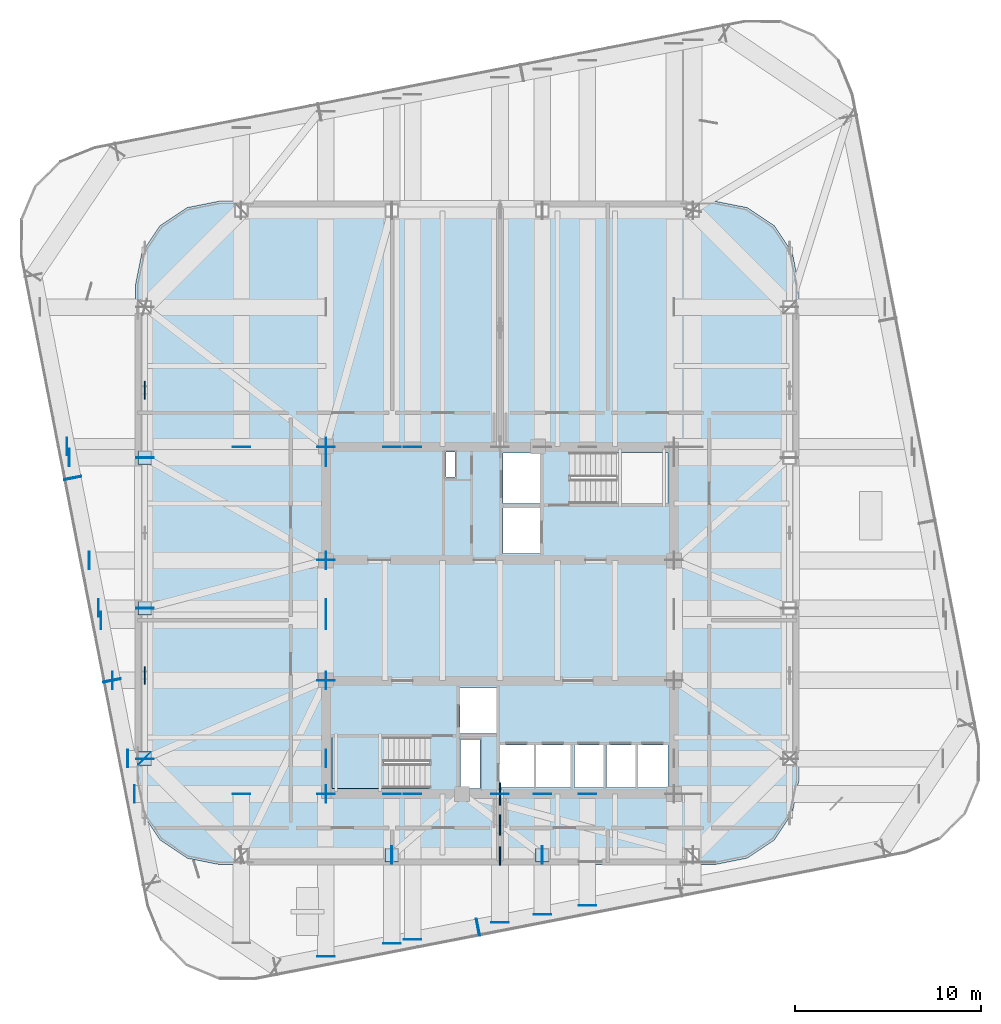
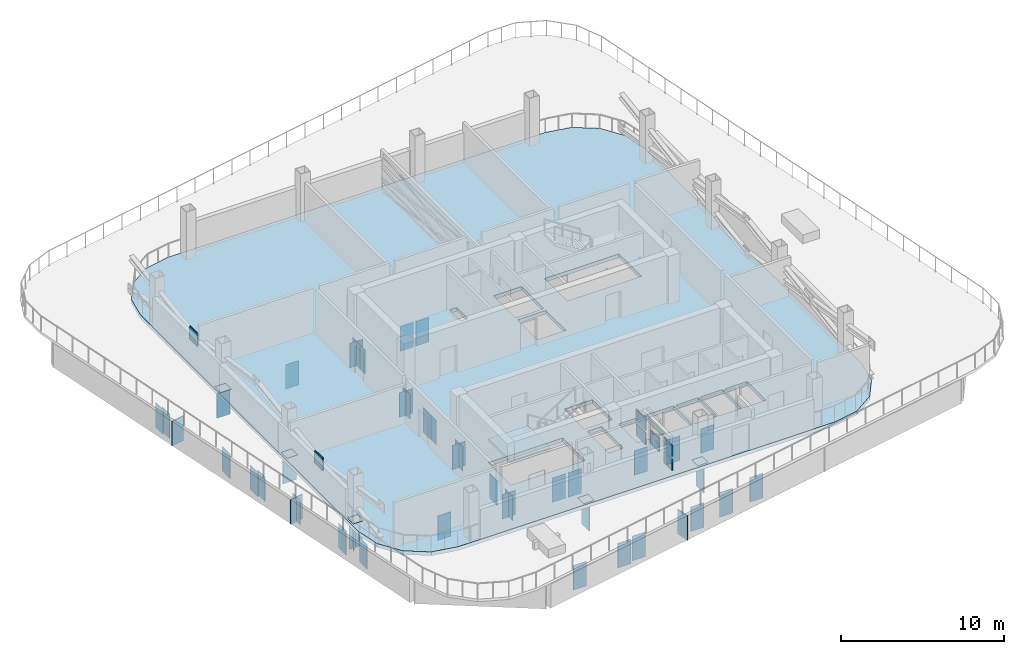
# One storey, part 4 of 14: 63 plates, 2 slabs, 1 element without a shape of its own.
"""IFC4 building model written with IfcOpenShell, lengths in metres."""

from ifc_helpers import new_model, si_unit, direction, frame, origin, origin_2d, place, context, subcontext, project, spatial, polyline, rectangle, outline, extrude, material, layer, layer_set, type_object, element, aggregate, save


model = new_model("IFC4")

# Units and contexts
model_context = context("Model", 3, precision=1e-05, world=origin(), true_north=direction((0.0, 1.0)))
body_context = subcontext(model_context, "Body", "Model", "MODEL_VIEW")
ifc_project = project(units=[si_unit("LENGTHUNIT", "METRE"), si_unit("AREAUNIT", "SQUARE_METRE"), si_unit("VOLUMEUNIT", "CUBIC_METRE"), si_unit("PLANEANGLEUNIT", "RADIAN"), si_unit("MASSUNIT", "GRAM", prefix="KILO")], contexts=[model_context])

# Site, building, storey
site_placement = place(None, origin())
site = spatial("IfcSite", under=ifc_project, at=site_placement, CompositionType="ELEMENT")
building_placement = place(site_placement, origin())
building = spatial("IfcBuilding", under=site, at=building_placement, Name="Qhalaya Broadcast Tower", CompositionType="ELEMENT")
storey_placement = place(building_placement, frame((0.0, 0.0, 144.60009765625)))
storey = spatial("IfcBuildingStorey", under=building, at=storey_placement, Name="L42", CompositionType="ELEMENT", Elevation=144.60009765625)

# Plates
ifc_material_1 = material(Name="Structural Steel ASTM A572 Grade 50", Category="steel")
ifc_layer_1 = layer(ifc_material_1, 0.4599609375, Name="Structural Steel ASTM A572 Grade 50")
ifc_layer_set_1 = layer_set([ifc_layer_1], Name="Structural Steel ASTM A572 Grade 50")
plate_type_1 = type_object("IfcPlateType", Name="Hollow Box Member End Cap Plate CP-01", PredefinedType="USERDEFINED", material=ifc_layer_set_1)
for number, where, z_axis, x_axis, name in (
    (1, (-5.803955078125, -12.0400390625, -2.10009765625), (0.0, 0.0, 1.0), (0.0, 1.0, 0.0), "L42 Hollow Girder End Cap L42-SPR-01-B"),
    (2, (-5.8359375, -12.0400390625, -2.10009765625), (0.0, 0.0, 1.0), (0.0, 1.0, 0.0), "L42 Hollow Girder End Cap L42-SPR-02-A"),
    (3, (2.2958984375, -12.0400390625, -2.10009765625), (0.0, 0.0, 1.0), (0.0, 1.0, 0.0), "L42 Hollow Girder End Cap L42-SPR-02-B"),
    (4, (2.263916015625, -12.0400390625, -2.10009765625), (0.0, 0.0, 1.0), (0.0, 1.0, 0.0), "L42 Hollow Girder End Cap L42-SPR-03-A"),
    (5, (-19.1201171875, 9.343994140625, -2.10009765625), (0.0, 0.0, 1.0), (1.0, 0.0, 0.0), "L42 Hollow Girder End Cap L42-SPR-13-B"),
    (6, (-19.1201171875, 9.3759765625, -2.10009765625), (0.0, 0.0, 1.0), (1.0, 0.0, 0.0), "L42 Hollow Girder End Cap L42-SPR-14-A"),
    (7, (-19.1201171875, 1.243896484375, -2.10009765625), (0.0, 0.0, 1.0), (1.0, 0.0, 0.0), "L42 Hollow Girder End Cap L42-SPR-14-B"),
    (8, (-19.1201171875, 1.27587890625, -2.10009765625), (0.0, 0.0, 1.0), (1.0, 0.0, 0.0), "L42 Hollow Girder End Cap L42-SPR-15-A"),
    (9, (-19.1201171875, -6.85595703125, -2.10009765625), (0.0, 0.0, 1.0), (1.0, 0.0, 0.0), "L42 Hollow Girder End Cap L42-SPR-15-B"),
    (10, (-19.13134765625, -6.82861328125, -2.10009765625), (0.0, 0.0, 1.0), (0.707106781187, 0.707106781187, 0.0), "L42 Hollow Girder End Cap L42-SPR-16-A"),
    (11, (-1.167724609375, -15.915283203125, -2.10009765625), (0.0, 0.0, 1.0), (-0.190808995377, 0.981627183448, 0.0), "L42 Hollow Girder End Cap L42-TGL-01-B"),
    (12, (-1.19921875, -15.92138671875, -2.10009765625), (0.0, 0.0, 1.0), (-0.190808995377, 0.981627183448, 0.0), "L42 Hollow Girder End Cap L42-TGL-02-A"),
    (13, (-22.995361328125, 8.247802734375, -2.10009765625), (0.0, 0.0, 1.0), (0.981627183448, 0.190808995377, 0.0), "L42 Hollow Girder End Cap L42-TGL-13-B"),
    (14, (-23.00146484375, 8.279052734375, -2.10009765625), (0.0, 0.0, 1.0), (0.981627183448, 0.190808995377, 0.0), "L42 Hollow Girder End Cap L42-TGL-14-A"),
    (15, (-20.877197265625, -2.648193359375, -2.10009765625), (0.0, 0.0, 1.0), (0.981627183448, 0.190808995377, 0.0), "L42 Hollow Girder End Cap L42-TGL-14-B"),
    (16, (-20.883544921875, -2.616943359375, -2.10009765625), (0.0, 0.0, 1.0), (0.981627183448, 0.190808995377, 0.0), "L42 Hollow Girder End Cap L42-TGL-15-A"),
    (17, (-9.375, 9.93408203125, -2.10009765625), (0.0, 0.0, 1.0), (-1.0, 0.0, 0.0), "L42 Hollow Girder End Cap L42-TGINW-1-A"),
    (18, (0.0, -15.66357421875, -2.10009765625), (0.0, 0.0, 1.0), (-1.0, 0.0, 0.0), "L42 Hollow Girder End Cap L42-TGIMS-1-A"),
    (19, (0.0, -8.73388671875, -2.10009765625), (0.0, 0.0, 1.0), (-1.0, 0.0, 0.0), "L42 Hollow Girder End Cap L42-TGIMS-1-B"),
    (20, (-4.699951171875, 9.93408203125, -2.10009765625), (0.0, 0.0, 1.0), (-1.0, 0.0, 0.0), "L42 Hollow Girder End Cap L42-TGIMNW-1-A"),
    (21, (-4.699951171875, -16.5771484375, -2.10009765625), (0.0, 0.0, 1.0), (-1.0, 0.0, 0.0), "L42 Hollow Girder End Cap L42-TGIMSW-1-A"),
    (22, (-4.699951171875, -8.73388671875, -2.10009765625), (0.0, 0.0, 1.0), (-1.0, 0.0, 0.0), "L42 Hollow Girder End Cap L42-TGIMSW-1-B"),
    (23, (4.699951171875, -14.75, -2.10009765625), (0.0, 0.0, 1.0), (-1.0, 0.0, 0.0), "L42 Hollow Girder End Cap L42-TGIMSE-1-A"),
    (24, (4.699951171875, -8.73388671875, -2.10009765625), (0.0, 0.0, 1.0), (-1.0, 0.0, 0.0), "L42 Hollow Girder End Cap L42-TGIMSE-1-B"),
    (25, (-21.48388671875, 0.60009765625, -2.10009765625), (0.0, 0.0, 1.0), (0.0, 1.0, 0.0), "L42 Hollow Girder End Cap L42-TGIYW-1-A"),
    (26, (-9.35888671875, 0.60009765625, -2.10009765625), (0.0, 0.0, 1.0), (0.0, 1.0, 0.0), "L42 Hollow Girder End Cap L42-TGIYW-1-B"),
    (27, (-9.375, -17.48583984375, -2.10009765625), (0.0, 0.0, 1.0), (-1.0, 0.0, 0.0), "L42 Hollow Girder End Cap L42-TGISW-1-A"),
    (28, (-9.375, -8.73388671875, -2.10009765625), (0.0, 0.0, 1.0), (-1.0, 0.0, 0.0), "L42 Hollow Girder End Cap L42-TGISW-1-B"),
    (29, (-9.375, -2.64111328125, -2.10009765625), (0.0, 0.0, 1.0), (-1.0, 0.0, 0.0), "L42 Hollow Girder End Cap L42-TGIMW-1-A"),
    (30, (-9.375, 3.841064453125, -2.10009765625), (0.0, 0.0, 1.0), (-1.0, 0.0, 0.0), "L42 Hollow Girder End Cap L42-TGIMW-1-B"),
    (31, (-19.66650390625, -8.75, -2.10009765625), (0.0, 0.0, 1.0), (0.0, 1.0, 0.0), "L42 Hollow Girder End Cap L42-TGIY1W-1-A"),
    (32, (-9.35888671875, -8.75, -2.10009765625), (0.0, 0.0, 1.0), (0.0, 1.0, 0.0), "L42 Hollow Girder End Cap L42-TGIY1W-1-B"),
    (33, (-20.857177734375, -2.625, -2.10009765625), (0.0, 0.0, 1.0), (0.0, 1.0, 0.0), "L42 Hollow Girder End Cap L42-TGIY2W-1-A"),
    (34, (-9.35888671875, -2.625, -2.10009765625), (0.0, 0.0, 1.0), (0.0, 1.0, 0.0), "L42 Hollow Girder End Cap L42-TGIY2W-1-B"),
    (35, (-22.11083984375, 3.824951171875, -2.10009765625), (0.0, 0.0, 1.0), (0.0, 1.0, 0.0), "L42 Hollow Girder End Cap L42-TGIY3W-1-A"),
    (36, (-9.35888671875, 3.824951171875, -2.10009765625), (0.0, 0.0, 1.0), (0.0, 1.0, 0.0), "L42 Hollow Girder End Cap L42-TGIY3W-1-B"),
    (37, (-23.301513671875, 9.949951171875, -2.10009765625), (0.0, 0.0, 1.0), (0.0, 1.0, 0.0), "L42 Hollow Girder End Cap L42-TGIY4W-1-A"),
    (38, (-9.35888671875, 9.949951171875, -2.10009765625), (0.0, 0.0, 1.0), (0.0, 1.0, 0.0), "L42 Hollow Girder End Cap L42-TGIY4W-1-B"),
    (39, (-13.919921875, -8.73388671875, -2.10009765625), (0.0, 0.0, 1.0), (-1.0, 0.0, 0.0), "L42 Hollow Girder End Cap L42-TGC-01-B"),
    (40, (-5.820068359375, -16.794921875, -2.10009765625), (0.0, 0.0, 1.0), (-1.0, 0.0, 0.0), "L42 Hollow Girder End Cap L42-TGC-02-A"),
    (41, (-5.820068359375, -8.73388671875, -2.10009765625), (0.0, 0.0, 1.0), (-1.0, 0.0, 0.0), "L42 Hollow Girder End Cap L42-TGC-02-B"),
    (42, (2.280029296875, -15.220458984375, -2.10009765625), (0.0, 0.0, 1.0), (-1.0, 0.0, 0.0), "L42 Hollow Girder End Cap L42-TGC-03-A"),
    (43, (2.280029296875, -8.73388671875, -2.10009765625), (0.0, 0.0, 1.0), (-1.0, 0.0, 0.0), "L42 Hollow Girder End Cap L42-TGC-03-B"),
    (44, (-5.820068359375, 9.93408203125, -2.10009765625), (0.0, 0.0, 1.0), (-1.0, 0.0, 0.0), "L42 Hollow Girder End Cap L42-TGC-11-A"),
    (45, (-13.919921875, 9.93408203125, -2.10009765625), (0.0, 0.0, 1.0), (-1.0, 0.0, 0.0), "L42 Hollow Girder End Cap L42-TGC-12-A"),
    (46, (-23.186767578125, 9.360107421875, -2.10009765625), (0.0, 0.0, 1.0), (0.0, 1.0, 0.0), "L42 Hollow Girder End Cap L42-TGC-14-A"),
    (47, (-9.35888671875, 9.360107421875, -2.10009765625), (0.0, 0.0, 1.0), (0.0, 1.0, 0.0), "L42 Hollow Girder End Cap L42-TGC-14-B"),
    (48, (-21.6123046875, 1.260009765625, -2.10009765625), (0.0, 0.0, 1.0), (0.0, 1.0, 0.0), "L42 Hollow Girder End Cap L42-TGC-15-A"),
    (49, (-9.35888671875, 1.260009765625, -2.10009765625), (0.0, 0.0, 1.0), (0.0, 1.0, 0.0), "L42 Hollow Girder End Cap L42-TGC-15-B"),
    (50, (-20.037841796875, -6.840087890625, -2.10009765625), (0.0, 0.0, 1.0), (0.0, 1.0, 0.0), "L42 Hollow Girder End Cap L42-TGC-16-A"),
    (51, (-9.35888671875, -6.840087890625, -2.10009765625), (0.0, 0.0, 1.0), (0.0, 1.0, 0.0), "L42 Hollow Girder End Cap L42-TGC-16-B"),
):
    element("IfcPlate", number, at=place(storey_placement, frame(where, z_axis=z_axis, x_axis=x_axis)), inside=storey, type_object=plate_type_1, Name=name, ObjectType="COVER_PLATE", PredefinedType="USERDEFINED", context=body_context, shape_type="SweptSolid", body=[
        extrude(rectangle(XDim=0.93994140625, YDim=0.031982421875, at=origin_2d()), origin(), (0.0, 0.0, 1.0), 1.840087890625),
    ])
for number, where, z_axis, x_axis, name in (
    (52, (-5.820068359375, -12.0400390625, -0.0322265625), (0.0, 0.0, 1.0), (1.0, 0.0, 0.0), "L42 Hollow Box Column Base Cap Plate COL-NK02"),
    (53, (2.280029296875, -12.0400390625, -0.0322265625), (0.0, 0.0, 1.0), (1.0, 0.0, 0.0), "L42 Hollow Box Column Base Cap Plate COL-NK03"),
    (54, (-19.1201171875, 9.360107421875, -0.0322265625), (0.0, 0.0, 1.0), (0.0, 1.0, 0.0), "L42 Hollow Box Column Base Cap Plate COL-NK14"),
    (55, (-19.1201171875, 1.260009765625, -0.0322265625), (0.0, 0.0, 1.0), (0.0, 1.0, 0.0), "L42 Hollow Box Column Base Cap Plate COL-NK15"),
    (56, (-19.1201171875, -6.840087890625, -0.0322265625), (0.0, 0.0, 1.0), (0.0, 1.0, 0.0), "L42 Hollow Box Column Base Cap Plate COL-NK16"),
):
    element("IfcPlate", number, at=place(storey_placement, frame(where, z_axis=z_axis, x_axis=x_axis)), inside=storey, type_object=plate_type_1, Name=name, ObjectType="COVER_PLATE", PredefinedType="USERDEFINED", context=body_context, shape_type="SweptSolid", body=[
        extrude(rectangle(XDim=0.739990234375, YDim=0.739990234375, at=origin_2d()), origin(), (0.0, 0.0, 1.0), 0.031982421875),
    ])
ifc_layer_2 = layer(ifc_material_1, 0.06005859375, Name="Structural Steel ASTM A572 Grade 50")
ifc_layer_set_2 = layer_set([ifc_layer_2], Name="Structural Steel ASTM A572 Grade 50")
plate_type_2 = type_object("IfcPlateType", Name="Outrigger Core Embed Gusset Plate NP-02", PredefinedType="USERDEFINED", material=ifc_layer_set_2)
for number, where, z_axis, x_axis, name in (
    (57, (0.0, -8.75, 0.39990234375), (0.0, 0.0, 1.0), (0.0, -1.0, 0.0), "L42 Outrigger Gusset Node SC-C0"),
    (58, (0.0, -8.75, 1.449951171875), (0.0, 0.0, 1.0), (0.0, -1.0, 0.0), "L42 Outrigger Gusset Node SC-C1"),
):
    element("IfcPlate", number, at=place(storey_placement, frame(where, z_axis=z_axis, x_axis=x_axis)), inside=storey, type_object=plate_type_2, Name=name, ObjectType="GUSSET_PLATE", PredefinedType="USERDEFINED", context=body_context, shape_type="SweptSolid", body=[
        extrude(rectangle(XDim=1.199951171875, YDim=0.06005859375, at=origin_2d()), origin(), (0.0, 0.0, 1.0), 0.89990234375),
    ])
plate_placement = place(storey_placement, frame((0.0, -10.419921875, 0.875), z_axis=(0.0, 0.0, 1.0), x_axis=(0.0, -1.0, 0.0)))
element("IfcPlate", 59, at=plate_placement, inside=storey, type_object=plate_type_2, Name="L42 Outrigger Gusset Node SC-XM", ObjectType="GUSSET_PLATE", PredefinedType="USERDEFINED", context=body_context, shape_type="SweptSolid", body=[
    extrude(rectangle(XDim=1.10009765625, YDim=0.06005859375, at=origin_2d()), origin(), (0.0, 0.0, 1.0), 1.0),
])
for number, where, z_axis, x_axis, name in (
    (60, (0.0, -12.090087890625, 0.4248046875), (0.0, 0.0, 1.0), (0.0, -1.0, 0.0), "L42 Outrigger Gusset Node SC-P0"),
    (61, (0.0, -12.090087890625, 1.474853515625), (0.0, 0.0, 1.0), (0.0, -1.0, 0.0), "L42 Outrigger Gusset Node SC-P1"),
):
    element("IfcPlate", number, at=place(storey_placement, frame(where, z_axis=z_axis, x_axis=x_axis)), inside=storey, type_object=plate_type_2, Name=name, ObjectType="GUSSET_PLATE", PredefinedType="USERDEFINED", context=body_context, shape_type="SweptSolid", body=[
        extrude(rectangle(XDim=1.0, YDim=0.06005859375, at=origin_2d()), origin(), (0.0, 0.0, 1.0), 0.85009765625),
    ])
for number, where, z_axis, x_axis, name in (
    (62, (-19.1201171875, -2.364990234375, 1.21484375), (0.0, 0.0, 1.0), (0.0, 1.0, 0.0), "L42 Belt Truss X-Crossing Gusset W1"),
    (63, (-19.1201171875, 12.985107421875, 1.21484375), (0.0, 0.0, 1.0), (0.0, 1.0, 0.0), "L42 Belt Truss X-Crossing Gusset W2"),
):
    element("IfcPlate", number, at=place(storey_placement, frame(where, z_axis=z_axis, x_axis=x_axis)), inside=storey, type_object=plate_type_2, Name=name, ObjectType="GUSSET_PLATE", PredefinedType="USERDEFINED", context=body_context, shape_type="SweptSolid", body=[
        extrude(rectangle(XDim=0.949951171875, YDim=0.06005859375, at=origin_2d()), origin(), (0.0, 0.0, 1.0), 0.949951171875),
    ])

# Slab
ifc_material_2 = material(Name="Concrete C40/50", Category="concrete")
ifc_layer_3 = layer(ifc_material_2, 0.280029296875, Name="Concrete C40/50")
ifc_layer_set_3 = layer_set([ifc_layer_3], Name="Concrete C40/50")
slab_type_1 = type_object("IfcSlabType", Name="Plant & Refuge Heavy Duty Floor Slab 280", PredefinedType="FLOOR", material=ifc_layer_set_3)
slab_1_placement = place(storey_placement, frame((0.0, 0.0, -0.280029296875)))
element("IfcSlab", 64, at=slab_1_placement, inside=storey, type_object=slab_type_1, Name="L42 Main Structural Floor Slab", PredefinedType="FLOOR", context=body_context, shape_type="SweptSolid", body=[
    extrude(outline(polyline([(11.580078125, -12.5400390625), (13.302001953125, -12.197509765625), (14.761962890625, -11.221923828125), (15.737548828125, -9.76220703125), (16.080078125, -8.0400390625), (16.080078125, 18.659912109375), (15.737548828125, 20.382080078125), (14.761962890625, 21.842041015625), (13.302001953125, 22.8173828125), (11.580078125, 23.159912109375), (-15.1201171875, 23.159912109375), (-16.842041015625, 22.8173828125), (-18.302001953125, 21.842041015625), (-19.277587890625, 20.382080078125), (-19.6201171875, 18.659912109375), (-19.6201171875, -8.0400390625), (-19.277587890625, -9.76220703125), (-18.302001953125, -11.221923828125), (-16.842041015625, -12.197509765625), (-15.1201171875, -12.5400390625), (11.580078125, -12.5400390625)]), holes=[polyline([(3.784912109375, 9.639892578125), (9.050048828125, 9.639892578125), (9.050048828125, 6.8798828125), (3.784912109375, 6.8798828125), (3.784912109375, 9.639892578125)]), polyline([(-3.784912109375, -8.43994140625), (-9.050048828125, -8.43994140625), (-9.050048828125, -5.679931640625), (-3.784912109375, -5.679931640625), (-3.784912109375, -8.43994140625)]), polyline([(0.14990234375, 6.64990234375), (2.14990234375, 6.64990234375), (2.14990234375, 4.199951171875), (0.14990234375, 4.199951171875), (0.14990234375, 6.64990234375)]), polyline([(0.14990234375, 9.60009765625), (2.14990234375, 9.60009765625), (2.14990234375, 6.89990234375), (0.14990234375, 6.89990234375), (0.14990234375, 9.60009765625)]), polyline([(-2.14990234375, -3.050048828125), (-0.14990234375, -3.050048828125), (-0.14990234375, -5.5), (-2.14990234375, -5.5), (-2.14990234375, -3.050048828125)]), polyline([(-0.050048828125, -6.10009765625), (1.830078125, -6.10009765625), (1.830078125, -8.39990234375), (-0.050048828125, -8.39990234375), (-0.050048828125, -6.10009765625)]), polyline([(1.949951171875, -6.10009765625), (3.830078125, -6.10009765625), (3.830078125, -8.39990234375), (1.949951171875, -8.39990234375), (1.949951171875, -6.10009765625)]), polyline([(4.0, -6.10009765625), (5.60009765625, -6.10009765625), (5.60009765625, -8.39990234375), (4.0, -8.39990234375), (4.0, -6.10009765625)]), polyline([(5.719970703125, -6.10009765625), (7.320068359375, -6.10009765625), (7.320068359375, -8.39990234375), (5.719970703125, -8.39990234375), (5.719970703125, -6.10009765625)]), polyline([(7.43994140625, -6.10009765625), (9.0400390625, -6.10009765625), (9.0400390625, -8.39990234375), (7.43994140625, -8.39990234375), (7.43994140625, -6.10009765625)]), polyline([(-2.919921875, 9.659912109375), (-2.419921875, 9.659912109375), (-2.419921875, 8.320068359375), (-2.919921875, 8.320068359375), (-2.919921875, 9.659912109375)]), polyline([(-2.1201171875, -5.820068359375), (-1.080078125, -5.820068359375), (-1.080078125, -8.4599609375), (-2.1201171875, -8.4599609375), (-2.1201171875, -5.820068359375)])]), origin(), (0.0, 0.0, 1.0), 0.280029296875),
])

# Stair, slab
stair_type = type_object("IfcStairType", Name="Protected Dogleg Core Stair 3600", PredefinedType="TWO_STRAIGHT_RUN_STAIR", material=ifc_material_2)
stair_placement = place(storey_placement, origin())
stair = element("IfcStair", 65, at=stair_placement, inside=storey, type_object=stair_type, Name="L42 South Core Exit Stair ST-2", PredefinedType="TWO_STRAIGHT_RUN_STAIR")
ifc_layer_4 = layer(ifc_material_2, 0.199951171875, Name="Concrete C40/50")
ifc_layer_set_4 = layer_set([ifc_layer_4], Name="Concrete C40/50")
slab_type_2 = type_object("IfcSlabType", Name="Stair & Ramp Half-Landing Slab 200", PredefinedType="LANDING", material=ifc_layer_set_4)
slab_2_placement = place(storey_placement, frame((0.0, 0.0, 1.599853515625)))
slab_2 = element("IfcSlab", 66, at=slab_2_placement, type_object=slab_type_2, Name="ST-2 landing 1", PredefinedType="LANDING", context=body_context, shape_type="SweptSolid", body=[
    extrude(outline(polyline([(-6.235107421875, -5.679931640625), (-9.050048828125, -5.679931640625), (-9.050048828125, -8.43994140625), (-6.235107421875, -8.43994140625), (-6.235107421875, -5.679931640625)])), origin(), (0.0, 0.0, 1.0), 0.199951171875),
])
aggregate(stair, [slab_2])

save(model, "model.ifc")
